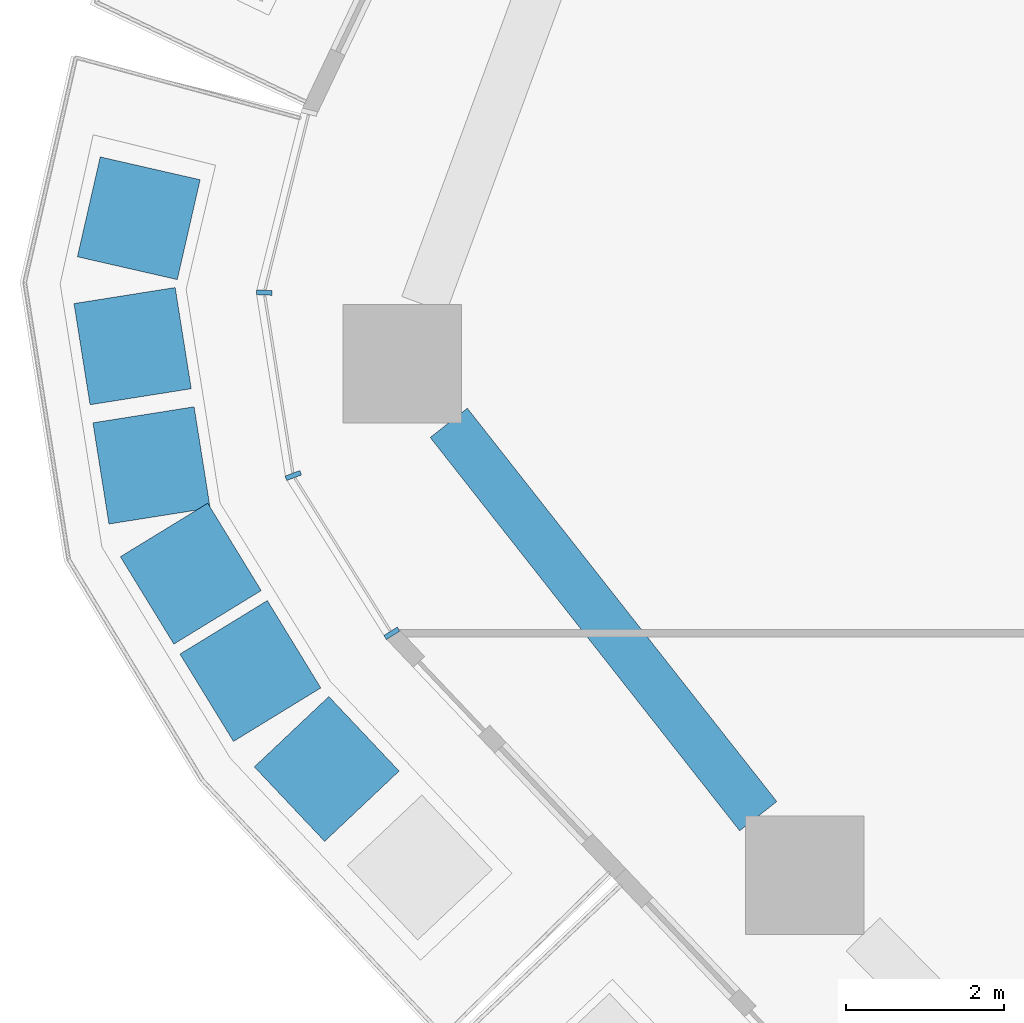
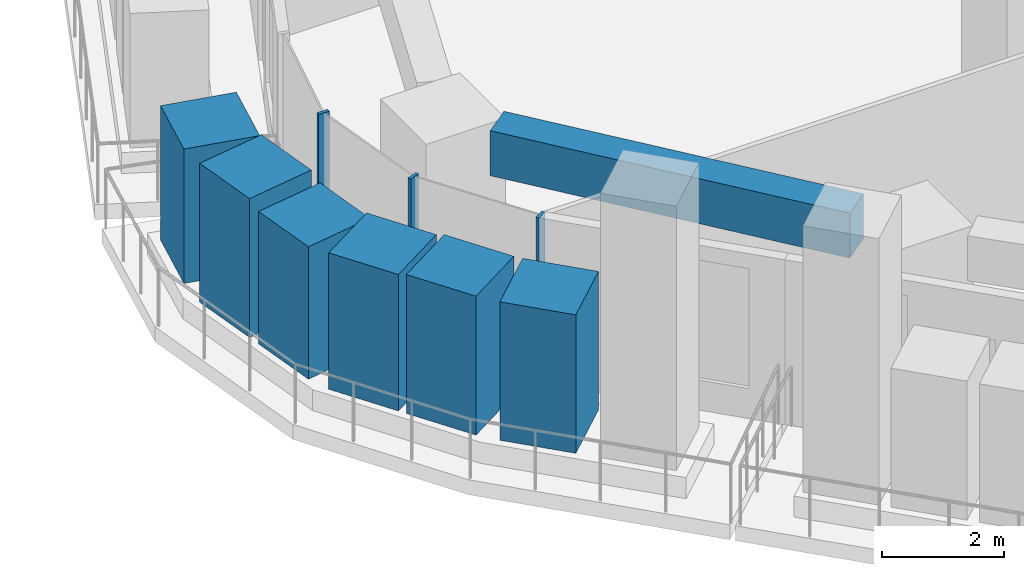
# One storey, part 3 of 24: 9 members, 1 beam, 1 element without a shape of its own.
"""IFC4 building model written with IfcOpenShell, lengths in metres."""

from ifc_helpers import new_model, si_unit, direction, frame, origin, origin_2d, place, context, subcontext, project, spatial, rectangle, extrude, material, layer, layer_set, material_profile, profile_set, type_object, element, aggregate, save


model = new_model("IFC4")

# Units and contexts
model_context = context("Model", 3, precision=1e-05, world=origin(), true_north=direction((0.0, 1.0)))
body_context = subcontext(model_context, "Body", "Model", "MODEL_VIEW")
ifc_project = project(units=[si_unit("LENGTHUNIT", "METRE"), si_unit("AREAUNIT", "SQUARE_METRE"), si_unit("VOLUMEUNIT", "CUBIC_METRE"), si_unit("PLANEANGLEUNIT", "RADIAN"), si_unit("MASSUNIT", "GRAM", prefix="KILO")], contexts=[model_context])

# Site, building, storey
site_placement = place(None, origin())
site = spatial("IfcSite", under=ifc_project, at=site_placement, CompositionType="ELEMENT")
building_placement = place(site_placement, origin())
building = spatial("IfcBuilding", under=site, at=building_placement, Name="Dongbaek Canopy Tower", CompositionType="ELEMENT")
storey_placement = place(building_placement, frame((0.0, 0.0, 51.39990234375)))
storey = spatial("IfcBuildingStorey", under=building, at=storey_placement, Name="L08", CompositionType="ELEMENT", Elevation=51.39990234375)

# Curtain wall, members
ifc_material_1 = material(Name="Aluminium 6063-T6 pale anodised", Category="aluminium")
ifc_layer = layer(ifc_material_1, 0.199951171875)
ifc_layer_set = layer_set([ifc_layer], Name="CW-1 unitised tower curtain wall")
curtain_wall_type = type_object("IfcCurtainWallType", Name="CW-1 unitised tower curtain wall", PredefinedType="NOTDEFINED", material=ifc_layer_set)
curtain_wall_placement = place(storey_placement, origin())
curtain_wall = element("IfcCurtainWall", 1, at=curtain_wall_placement, inside=storey, type_object=curtain_wall_type, Name="CW-1 curtain wall K3.1", PredefinedType="NOTDEFINED")
ifc_material_2 = material(Name="Aluminium 6063-T6 pale anodised", Category="aluminium")
ifc_material_profile_1 = material_profile(ifc_material_2, rectangle(XDim=0.199951171875, YDim=0.06005859375, at=origin_2d()), Name="CW-1 mullion 60 x 200")
ifc_profile_set_1 = profile_set([ifc_material_profile_1], Name="Aluminium 6063-T6 pale anodised")
member_type_1 = type_object("IfcMemberType", Name="CW-1 mullion 60 x 200", PredefinedType="MULLION", material=ifc_profile_set_1)
member_1_placement = place(storey_placement, frame((-39.2392578125, -7.220947265625, 0.0), z_axis=(0.0, 0.0, 1.0), x_axis=(-0.999066033636, 0.043209494732, 0.0)))
member_1 = element("IfcMember", 2, at=member_1_placement, type_object=member_type_1, Name="CW-1 mullion K3.1.2", PredefinedType="MULLION", context=body_context, shape_type="SweptSolid", body=[
    extrude(rectangle(XDim=0.199951171875, YDim=0.06005859375, at=origin_2d()), origin(), (0.0, 0.0, 1.0), 3.300048828125),
])
member_2_placement = place(storey_placement, frame((-38.87109375, -9.54150390625, 0.0), z_axis=(0.0, 0.0, 1.0), x_axis=(-0.936664509002, -0.350227922324, 0.0)))
member_2 = element("IfcMember", 3, at=member_2_placement, type_object=member_type_1, Name="CW-1 mullion K3.1.3", PredefinedType="MULLION", context=body_context, shape_type="SweptSolid", body=[
    extrude(rectangle(XDim=0.199951171875, YDim=0.06005859375, at=origin_2d()), origin(), (0.0, 0.0, 1.0), 3.300048828125),
])
member_3_placement = place(storey_placement, frame((-37.62109375, -11.54296875, 0.0), z_axis=(0.0, 0.0, 1.0), x_axis=(-0.848139359431, -0.52977318447, 0.0)))
member_3 = element("IfcMember", 4, at=member_3_placement, type_object=member_type_1, Name="CW-1 mullion K3.1.4", PredefinedType="MULLION", context=body_context, shape_type="SweptSolid", body=[
    extrude(rectangle(XDim=0.199951171875, YDim=0.06005859375, at=origin_2d()), origin(), (0.0, 0.0, 1.0), 3.300048828125),
])
aggregate(curtain_wall, [member_1, member_2, member_3])

# Beam
ifc_material_3 = material(Name="Concrete C80", Category="concrete")
ifc_material_profile_2 = material_profile(ifc_material_3, rectangle(XDim=0.60009765625, YDim=0.89990234375, at=origin_2d()), Name="RC EDGE BEAM 600x900 C80")
ifc_profile_set_2 = profile_set([ifc_material_profile_2], Name="Concrete C80")
beam_type = type_object("IfcBeamType", Name="RC EDGE BEAM 600x900 C80", PredefinedType="BEAM", material=ifc_profile_set_2)
beam_placement = place(storey_placement, frame((-32.97216796875, -13.863037109375, 2.85009765625), z_axis=(-0.618386857787, 0.785873841094, 0.0), x_axis=(-0.785873841094, -0.618386857787, 0.0)))
element("IfcBeam", 5, at=beam_placement, inside=storey, type_object=beam_type, Name="EDGEBEAM:L08:07", PredefinedType="BEAM", context=body_context, shape_type="SweptSolid", body=[
    extrude(rectangle(XDim=0.60009765625, YDim=0.89990234375, at=origin_2d()), origin(), (0.0, 0.0, 1.0), 6.349609375),
])

# Members
ifc_material_4 = material(Name="Concrete C40/50 planter mass with planting", Category="concrete")
ifc_material_profile_3 = material_profile(ifc_material_4, rectangle(XDim=1.300048828125, YDim=1.300048828125, at=origin_2d()), Name="Terrace PLANTER shrub mass 1300 x 1300")
ifc_profile_set_3 = profile_set([ifc_material_profile_3], Name="Concrete C40/50 planter mass with planting")
member_type_2 = type_object("IfcMemberType", Name="Terrace PLANTER shrub mass 1300 x 1300", PredefinedType="USERDEFINED", material=ifc_profile_set_3)
member_4_placement = place(storey_placement, frame((-40.83154296875, -6.27734375, 0.420166015625), z_axis=(0.0, 0.0, 1.0), x_axis=(-0.97486421454, 0.222799827668, 0.0)))
element("IfcMember", 6, at=member_4_placement, inside=storey, type_object=member_type_2, Name="Planter shrubs L08 6.1", ObjectType="PLANTER", PredefinedType="USERDEFINED", context=body_context, shape_type="SweptSolid", body=[
    extrude(rectangle(XDim=1.300048828125, YDim=1.300048828125, at=origin_2d()), origin(), (0.0, 0.0, 1.0), 2.68994140625),
])
member_5_placement = place(storey_placement, frame((-40.90966796875, -7.89990234375, 0.420166015625), z_axis=(0.0, 0.0, 1.0), x_axis=(-0.98765451131, -0.156647905474, 0.0)))
element("IfcMember", 7, at=member_5_placement, inside=storey, type_object=member_type_2, Name="Planter shrubs L08 6.2", ObjectType="PLANTER", PredefinedType="USERDEFINED", context=body_context, shape_type="SweptSolid", body=[
    extrude(rectangle(XDim=1.300048828125, YDim=1.300048828125, at=origin_2d()), origin(), (0.0, 0.0, 1.0), 2.780029296875),
])
member_6_placement = place(storey_placement, frame((-40.669677734375, -9.412841796875, 0.420166015625), z_axis=(0.0, 0.0, 1.0), x_axis=(-0.98765451131, -0.156647905474, 0.0)))
element("IfcMember", 8, at=member_6_placement, inside=storey, type_object=member_type_2, Name="Planter shrubs L08 6.3", ObjectType="PLANTER", PredefinedType="USERDEFINED", context=body_context, shape_type="SweptSolid", body=[
    extrude(rectangle(XDim=1.300048828125, YDim=1.300048828125, at=origin_2d()), origin(), (0.0, 0.0, 1.0), 2.64990234375),
])
member_7_placement = place(storey_placement, frame((-40.171630859375, -10.786376953125, 0.420166015625), z_axis=(0.0, 0.0, 1.0), x_axis=(-0.852748721885, -0.522321373604, 0.0)))
element("IfcMember", 9, at=member_7_placement, inside=storey, type_object=member_type_2, Name="Planter shrubs L08 6.4", ObjectType="PLANTER", PredefinedType="USERDEFINED", context=body_context, shape_type="SweptSolid", body=[
    extrude(rectangle(XDim=1.300048828125, YDim=1.300048828125, at=origin_2d()), origin(), (0.0, 0.0, 1.0), 2.72998046875),
])
member_8_placement = place(storey_placement, frame((-39.415283203125, -12.021240234375, 0.420166015625), z_axis=(0.0, 0.0, 1.0), x_axis=(-0.852748721885, -0.522321373604, 0.0)))
element("IfcMember", 10, at=member_8_placement, inside=storey, type_object=member_type_2, Name="Planter shrubs L08 6.5", ObjectType="PLANTER", PredefinedType="USERDEFINED", context=body_context, shape_type="SweptSolid", body=[
    extrude(rectangle(XDim=1.300048828125, YDim=1.300048828125, at=origin_2d()), origin(), (0.0, 0.0, 1.0), 2.780029296875),
])
member_9_placement = place(storey_placement, frame((-38.44677734375, -13.26416015625, 0.420166015625), z_axis=(0.0, 0.0, 1.0), x_axis=(-0.727322068282, -0.686296298248, 0.0)))
element("IfcMember", 11, at=member_9_placement, inside=storey, type_object=member_type_2, Name="Planter shrubs L08 6.6", ObjectType="PLANTER", PredefinedType="USERDEFINED", context=body_context, shape_type="SweptSolid", body=[
    extrude(rectangle(XDim=1.300048828125, YDim=1.300048828125, at=origin_2d()), origin(), (0.0, 0.0, 1.0), 2.77001953125),
])

save(model, "model.ifc")
